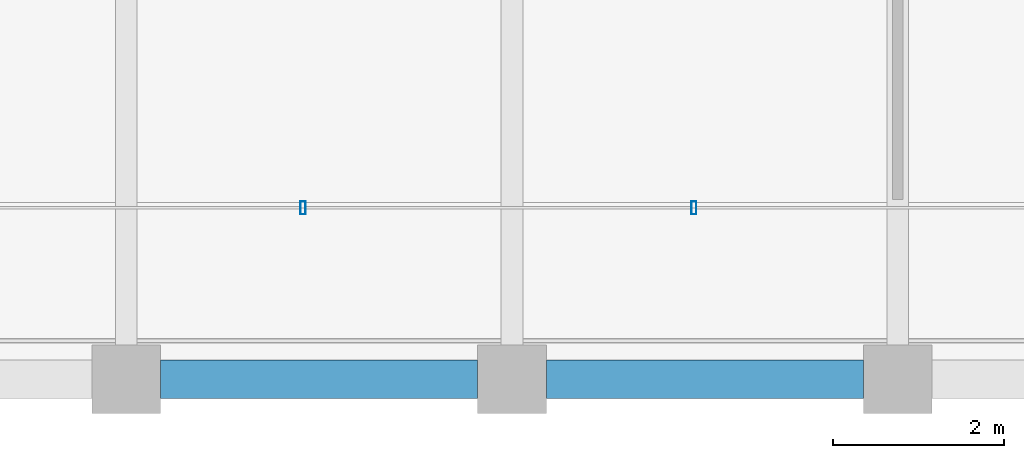
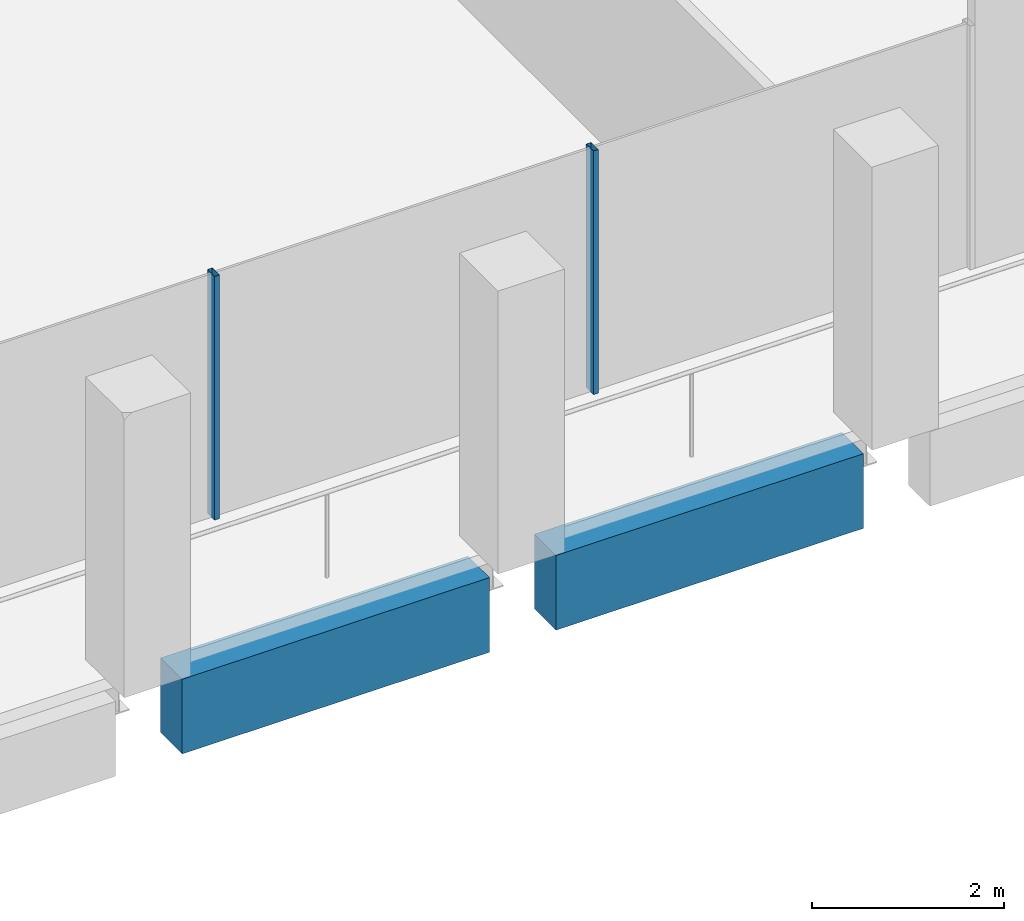
# One storey, part 3 of 30: 2 beams, 2 members, 1 element without a shape of its own.
"""IFC4 building model written with IfcOpenShell, lengths in metres."""

from ifc_helpers import new_model, si_unit, direction, frame, origin, origin_2d, place, context, subcontext, project, spatial, rectangle, hollow_rectangle, extrude, material, material_profile, profile_set, type_object, element, aggregate, save


model = new_model("IFC4")

# Units and contexts
model_context = context("Model", 3, precision=1e-05, world=origin(), true_north=direction((0.0, 1.0)))
body_context = subcontext(model_context, "Body", "Model", "MODEL_VIEW")
ifc_project = project(units=[si_unit("LENGTHUNIT", "METRE"), si_unit("AREAUNIT", "SQUARE_METRE"), si_unit("VOLUMEUNIT", "CUBIC_METRE"), si_unit("PLANEANGLEUNIT", "RADIAN"), si_unit("MASSUNIT", "GRAM", prefix="KILO")], contexts=[model_context])

# Site, building, storey
site_placement = place(None, origin())
site = spatial("IfcSite", under=ifc_project, at=site_placement, CompositionType="ELEMENT")
building_placement = place(site_placement, origin())
building = spatial("IfcBuilding", under=site, at=building_placement, Name="Altepetl Exchange Towers", CompositionType="ELEMENT")
storey_placement = place(building_placement, frame((0.0, 0.0, 224.39990234375)))
storey = spatial("IfcBuildingStorey", under=building, at=storey_placement, Name="L57", CompositionType="ELEMENT", Elevation=224.39990234375)

# Curtain wall, members
ifc_material_1 = material(Name="Aluminium 6063-T6 glazing", Category="aluminium")
curtain_wall_type = type_object("IfcCurtainWallType", Name="Loggia glazing system", PredefinedType="NOTDEFINED", material=ifc_material_1)
curtain_wall_placement = place(storey_placement, origin())
curtain_wall = element("IfcCurtainWall", 1, at=curtain_wall_placement, inside=storey, type_object=curtain_wall_type, Name="CW1 run", PredefinedType="NOTDEFINED")
ifc_material_2 = material(Name="Aluminium 6063-T6", Category="aluminium")
ifc_material_profile_1 = material_profile(ifc_material_2, hollow_rectangle(XDim=0.06005859375, YDim=0.14990234375, WallThickness=0.0029296875, at=origin_2d()), Name="Mullion 60x150 aluminium")
ifc_profile_set_1 = profile_set([ifc_material_profile_1], Name="Aluminium 6063-T6")
member_type = type_object("IfcMemberType", Name="Mullion 60x150 aluminium", PredefinedType="MULLION", material=ifc_profile_set_1)
member_1_placement = place(storey_placement, frame((38.060791015625, 29.0, 0.0)))
member_1 = element("IfcMember", 2, at=member_1_placement, type_object=member_type, Name="MU1 mullion", PredefinedType="MULLION", context=body_context, shape_type="SweptSolid", body=[
    extrude(hollow_rectangle(XDim=0.06005859375, YDim=0.14990234375, WallThickness=0.0029296875, at=origin_2d()), origin(), (0.0, 0.0, 1.0), 3.10009765625),
])
member_2_placement = place(storey_placement, frame((42.621337890625, 29.0, 0.0)))
member_2 = element("IfcMember", 3, at=member_2_placement, type_object=member_type, Name="MU1 mullion", PredefinedType="MULLION", context=body_context, shape_type="SweptSolid", body=[
    extrude(hollow_rectangle(XDim=0.06005859375, YDim=0.14990234375, WallThickness=0.0029296875, at=origin_2d()), origin(), (0.0, 0.0, 1.0), 3.10009765625),
])
aggregate(curtain_wall, [member_1, member_2])

# Beams
ifc_material_3 = material(Name="Concrete C50/60 precast with cantera blanca facing", Category="concrete")
ifc_material_profile_2 = material_profile(ifc_material_3, rectangle(XDim=0.449951171875, YDim=0.949951171875, at=origin_2d()), Name="450 x 950")
ifc_profile_set_2 = profile_set([ifc_material_profile_2], Name="Concrete C50/60 precast with cantera blanca facing")
beam_type = type_object("IfcBeamType", Name="Spandrel beam 450x950 cantera blanca", PredefinedType="SPANDREL", material=ifc_profile_set_2)
for number, where, z_axis, x_axis, name in (
    (4, (36.39990234375, 27.0, -0.625), (1.0, 0.0, 0.0), (0.0, 1.0, 0.0), "sp:A:L57:001"),
    (5, (40.89990234375, 27.0, -0.625), (1.0, 0.0, 0.0), (0.0, 1.0, 0.0), "sp:A:L57:002"),
):
    element("IfcBeam", number, at=place(storey_placement, frame(where, z_axis=z_axis, x_axis=x_axis)), inside=storey, type_object=beam_type, Name=name, PredefinedType="SPANDREL", context=body_context, shape_type="SweptSolid", body=[
        extrude(rectangle(XDim=0.449951171875, YDim=0.949951171875, at=origin_2d()), origin(), (0.0, 0.0, 1.0), 3.7001953125),
    ])

save(model, "model.ifc")
